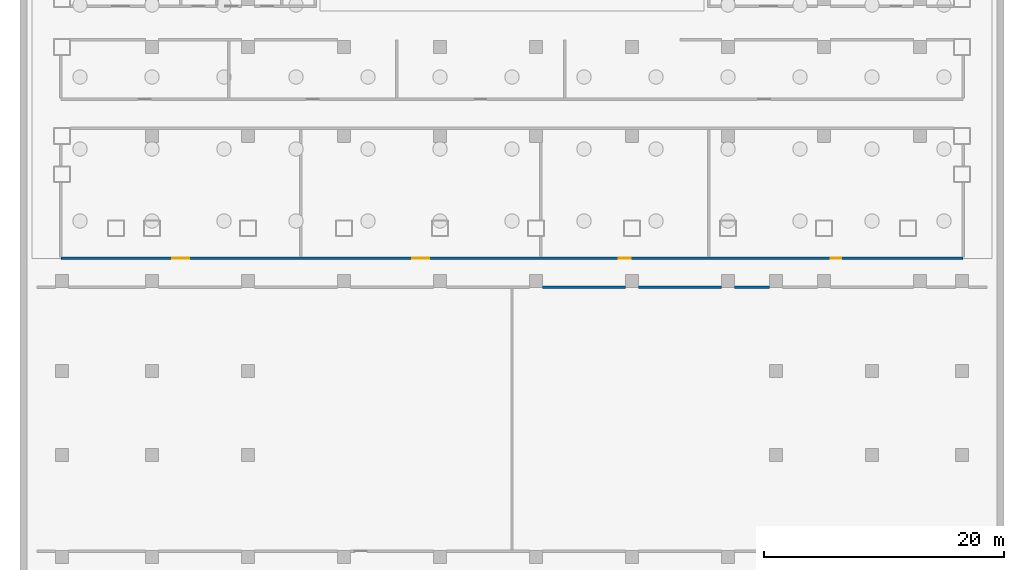
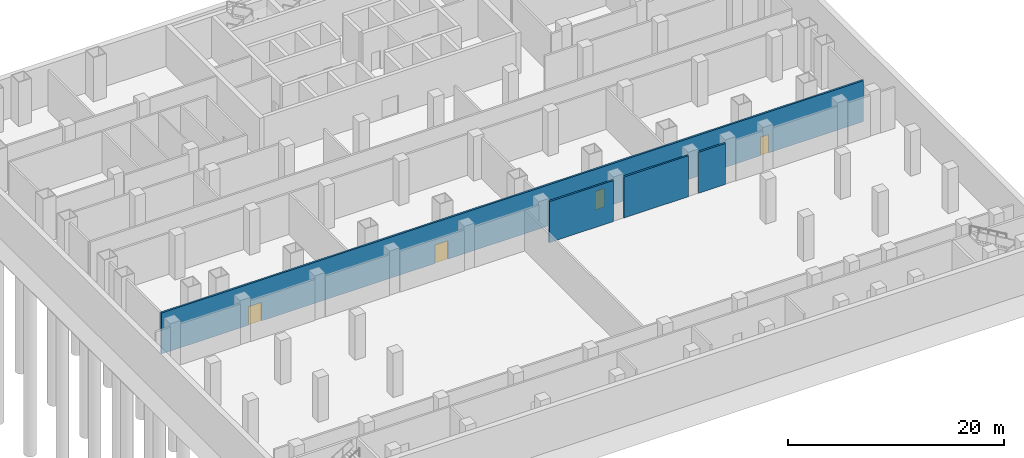
# One storey, part 5 of 14: 4 doors, 4 walls, 4 openings.
"""IFC4 building model written with IfcOpenShell, lengths in metres."""

import ifcopenshell
import ifcopenshell.guid

model = None  # the IFC model being written
_history = None  # IfcOwnerHistory: only IFC2X3 demands one
_inside = {}  # id of a spatial element -> (the spatial element, [elements in it])
_under = {}  # id of a project, library or spatial element -> (it, [spatial elements below it])
_declared = {}  # id of a project -> (the project, [libraries it declares])
_typed = {}  # id of a type object -> (the type object, [elements of that type])
_made_of = {}  # id of a material, layer set ... -> (it, [elements and type objects made of it])


def new_model(schema):
    """Start an empty IFC model of exactly this schema.

    Asked for "IFC4X3", IfcOpenShell would pick the latest addendum, in which some entities
    have other attributes; the version numbers below select the first issue.
    IFC2X3 requires an IfcOwnerHistory on every rooted entity: one is made here for all.
    """
    global model, _history
    if schema == "IFC4X3":
        model = ifcopenshell.file(schema_version=(4, 3, 0, 0))
    else:
        model = ifcopenshell.file(schema=schema)
    _inside.clear()
    _under.clear()
    _declared.clear()
    _typed.clear()
    _made_of.clear()
    _history = None
    if model.schema == "IFC2X3":
        org = make("IfcOrganization", Name="unknown")
        user = make(
            "IfcPersonAndOrganization",
            ThePerson=make("IfcPerson", FamilyName="unknown"),
            TheOrganization=org,
        )
        app = make(
            "IfcApplication",
            ApplicationDeveloper=org,
            Version="unknown",
            ApplicationFullName="unknown",
            ApplicationIdentifier="unknown",
        )
        _history = make(
            "IfcOwnerHistory",
            OwningUser=user,
            OwningApplication=app,
            ChangeAction="ADDED",
            CreationDate=0,
        )
    return model


def make(cls, **values):
    """One entity of the class cls with the attributes given. An attribute that is None is left unset."""
    return model.create_entity(
        cls, **{name: value for name, value in values.items() if value is not None}
    )


def rooted(cls, **values):
    """An entity with a GlobalId (a new one), such as an element, a storey or a relation."""
    return make(cls, GlobalId=ifcopenshell.guid.new(), OwnerHistory=_history, **values)


def si_unit(unit_type, name, prefix=None):
    """IfcSIUnit, for example si_unit("LENGTHUNIT", "METRE", prefix="MILLI")."""
    return make("IfcSIUnit", UnitType=unit_type, Prefix=prefix, Name=name)


def assignment(units):
    """IfcUnitAssignment: the units of a project."""
    return None if units is None else make("IfcUnitAssignment", Units=units)


def point(xyz):
    """IfcCartesianPoint."""
    return None if xyz is None else make("IfcCartesianPoint", Coordinates=xyz)


def direction(xyz):
    """IfcDirection."""
    return None if xyz is None else make("IfcDirection", DirectionRatios=xyz)


def frame(location, z_axis=None, x_axis=None):
    """IfcAxis2Placement3D, a coordinate frame: its origin and axes. An axis left out is left unset."""
    return make(
        "IfcAxis2Placement3D",
        Location=point(location),
        Axis=direction(z_axis),
        RefDirection=direction(x_axis),
    )


def frame_2d(location, x_axis=None):
    """IfcAxis2Placement2D, a coordinate frame in the plane: its origin and x axis."""
    return make(
        "IfcAxis2Placement2D", Location=point(location), RefDirection=direction(x_axis)
    )


def origin():
    """The frame at (0, 0, 0) with its axes left unset."""
    return frame((0.0, 0.0, 0.0))


def place(relative_to, where):
    """IfcLocalPlacement: puts the frame where relative to a parent placement (None: the world)."""
    return make(
        "IfcLocalPlacement", PlacementRelTo=relative_to, RelativePlacement=where
    )


def context(
    kind, dimensions, precision=None, world=None, true_north=None, identifier=None
):
    """IfcGeometricRepresentationContext, for example the 3D "Model" context."""
    return make(
        "IfcGeometricRepresentationContext",
        ContextIdentifier=identifier,
        ContextType=kind,
        CoordinateSpaceDimension=dimensions,
        Precision=precision,
        WorldCoordinateSystem=world,
        TrueNorth=true_north,
    )


def subcontext(parent, identifier, kind, view, scale=None):
    """IfcGeometricRepresentationSubContext, for example "Body" below "Model"."""
    return make(
        "IfcGeometricRepresentationSubContext",
        ContextIdentifier=identifier,
        ContextType=kind,
        ParentContext=parent,
        TargetScale=scale,
        TargetView=view,
    )


def project(units=None, contexts=None):
    """IfcProject with its units and contexts."""
    return rooted(
        "IfcProject",
        Name="project",
        RepresentationContexts=contexts,
        UnitsInContext=assignment(units),
    )


def spatial(cls, under=None, at=None, **own):
    """A site, building, storey or space (cls), placed at a placement, below another one or the project."""
    s = rooted(cls, ObjectPlacement=at, **own)
    if under is not None:
        _under.setdefault(under.id(), (under, []))[1].append(s)
    return s


def profile(cls, at=None, kind="AREA", **sizes):
    """A parametric profile (cls). Its sizes go by their IFC names, for example OverallWidth=200.0."""
    return make(cls, ProfileType=kind, Position=at, **sizes)


def rectangle(**sizes):
    """IfcRectangleProfileDef."""
    return profile("IfcRectangleProfileDef", **sizes)


def extrude(swept, where, along, depth):
    """IfcExtrudedAreaSolid: the profile swept, set in the frame where, extruded along a direction by depth."""
    return make(
        "IfcExtrudedAreaSolid",
        SweptArea=swept,
        Position=where,
        ExtrudedDirection=direction(along),
        Depth=depth,
    )


def shape(context_of_items, identifier, shape_type, items):
    """IfcShapeRepresentation: the items that make up one representation, for example the "Body"."""
    return make(
        "IfcShapeRepresentation",
        ContextOfItems=context_of_items,
        RepresentationIdentifier=identifier,
        RepresentationType=shape_type,
        Items=items,
    )


def material(Name=None, Category=None):
    """IfcMaterial."""
    return make("IfcMaterial", Name=Name, Category=Category)


def layer(
    of_material, thickness, ventilated=None, Name=None, Category=None, Priority=None
):
    """IfcMaterialLayer: one layer of a wall or slab, of a material (None: an air gap)."""
    return make(
        "IfcMaterialLayer",
        Material=of_material,
        LayerThickness=thickness,
        IsVentilated=ventilated,
        Name=Name,
        Category=Category,
        Priority=Priority,
    )


def layer_set(layers, Name=None):
    """IfcMaterialLayerSet."""
    return make("IfcMaterialLayerSet", MaterialLayers=layers, LayerSetName=Name)


def made_of(thing, what):
    """Note that an element or type object is made of a material, layer set ...; save() writes the relation."""
    if what is not None:
        _made_of.setdefault(what.id(), (what, []))[1].append(thing)
    return thing


def type_object(cls, material=None, **own):
    """A type object (cls), such as IfcWallType, which elements share."""
    return made_of(rooted(cls, **own), material)


def element(
    cls,
    number,
    at=None,
    inside=None,
    cuts=None,
    type_object=None,
    material=None,
    context=None,
    identifier="Body",
    shape_type=None,
    held_by="IfcProductDefinitionShape",
    body=None,
    shapes=None,
    **own,
):
    """One element of the class cls, such as IfcWall. Its Tag is "e" and its number.

    at: its placement. inside: the storey or other place that contains it. cuts: it is an
    opening in that element (IfcRelVoidsElement). A single representation is given by context,
    identifier, shape_type and body (its items); several are given by shapes. held_by: the class
    of the entity that holds the representations. save() writes the other relations.
    """
    e = rooted(cls, Tag="e%d" % number, ObjectPlacement=at, **own)
    if body is not None:
        shapes = [shape(context, identifier, shape_type, body)]
    if shapes is not None:
        e.Representation = make(held_by, Representations=shapes)
    if inside is not None:
        _inside.setdefault(inside.id(), (inside, []))[1].append(e)
    if cuts is not None:
        rooted(
            "IfcRelVoidsElement", RelatingBuildingElement=cuts, RelatedOpeningElement=e
        )
    if type_object is not None:
        _typed.setdefault(type_object.id(), (type_object, []))[1].append(e)
    return made_of(e, material)


def fill(opening, filler):
    """IfcRelFillsElement: the door or window that sits in an opening."""
    return rooted(
        "IfcRelFillsElement",
        RelatingOpeningElement=opening,
        RelatedBuildingElement=filler,
    )


def aggregate(whole, parts):
    """IfcRelAggregates: a whole, such as a stair, and the parts it consists of."""
    return rooted("IfcRelAggregates", RelatingObject=whole, RelatedObjects=parts)


def save(model, path):
    """Write the relations noted so far, then the file.

    IfcRelAggregates (storeys below a building ...), IfcRelContainedInSpatialStructure (elements
    in a storey), IfcRelDefinesByType, IfcRelAssociatesMaterial and IfcRelDeclares: one each for
    every whole, place, type object, material and project.
    """
    for whole, parts in _under.values():
        aggregate(whole, parts)
    for where, things in _inside.values():
        rooted(
            "IfcRelContainedInSpatialStructure",
            RelatedElements=things,
            RelatingStructure=where,
        )
    for kind, things in _typed.values():
        rooted("IfcRelDefinesByType", RelatedObjects=things, RelatingType=kind)
    for what, things in _made_of.values():
        rooted("IfcRelAssociatesMaterial", RelatedObjects=things, RelatingMaterial=what)
    for by, libraries in _declared.values():
        rooted("IfcRelDeclares", RelatingContext=by, RelatedDefinitions=libraries)
    model.write(path)


model = new_model("IFC4")

# Units and contexts
model_context = context("Model", 3, precision=1e-05, world=origin(), true_north=direction((0.0, 1.0)))
body_context = subcontext(model_context, "Body", "Model", "MODEL_VIEW")
ifc_project = project(units=[si_unit("LENGTHUNIT", "METRE"), si_unit("AREAUNIT", "SQUARE_METRE"), si_unit("VOLUMEUNIT", "CUBIC_METRE"), si_unit("PLANEANGLEUNIT", "RADIAN"), si_unit("MASSUNIT", "GRAM", prefix="KILO")], contexts=[model_context])

# Site, building, storey
site_placement = place(None, origin())
site = spatial("IfcSite", under=ifc_project, at=site_placement, CompositionType="ELEMENT")
building_placement = place(site_placement, origin())
building = spatial("IfcBuilding", under=site, at=building_placement, Name="Vidyagriha Tower", CompositionType="ELEMENT")
storey_placement = place(building_placement, frame((0.0, 0.0, -10.0)))
storey = spatial("IfcBuildingStorey", under=building, at=storey_placement, Name="B2", CompositionType="ELEMENT", Elevation=-10.0)

# Walls
ifc_material_1 = material(Name="Fire rated gypsum board on light gauge framing")
ifc_layer = layer(ifc_material_1, 0.199951171875)
ifc_layer_set = layer_set([ifc_layer], Name="Fire rated gypsum board on light gauge framing")
wall_type = type_object("IfcWallType", Name="Fire Rated Corridor Wall 200", PredefinedType="PARTITIONING", material=ifc_layer_set)
for number, where, name in (
    (1, (2.550048828125, -22.0, 0.0), "B2 Fire Rated Corridor Wall 200 022"),
    (2, (10.550048828125, -22.0, 0.0), "B2 Fire Rated Corridor Wall 200 023"),
):
    element("IfcWall", number, at=place(storey_placement, frame(where)), inside=storey, type_object=wall_type, Name=name, PredefinedType="PARTITIONING", context=body_context, shape_type="SweptSolid", body=[
        extrude(rectangle(XDim=6.89990234375, YDim=0.199951171875, at=frame_2d((3.449951171875, 0.0))), origin(), (0.0, 0.0, 1.0), 4.64990234375),
    ])
wall_1_placement = place(storey_placement, frame((18.550048828125, -22.0, 0.0)))
element("IfcWall", 3, at=wall_1_placement, inside=storey, type_object=wall_type, Name="B2 Fire Rated Corridor Wall 200 024", PredefinedType="PARTITIONING", context=body_context, shape_type="SweptSolid", body=[
    extrude(rectangle(XDim=2.89990234375, YDim=0.199951171875, at=frame_2d((1.449951171875, 0.0))), origin(), (0.0, 0.0, 1.0), 4.64990234375),
])

# Wall, openings, doors
wall_2_placement = place(storey_placement, frame((-37.599853515625, -19.60009765625, 0.0)))
wall_2 = element("IfcWall", 4, at=wall_2_placement, inside=storey, type_object=wall_type, Name="B2 Fire Rated Corridor Wall 200 029", PredefinedType="PARTITIONING", context=body_context, shape_type="SweptSolid", body=[
    extrude(rectangle(XDim=75.19970703125, YDim=0.199951171875, at=frame_2d((37.599853515625, 0.0))), origin(), (0.0, 0.0, 1.0), 4.64990234375),
])
opening_1_placement = place(wall_2_placement, frame((9.2998046875, 0.0, 0.0)))
opening_1 = element("IfcOpeningElement", 5, at=opening_1_placement, cuts=wall_2, Name="Opening DB2-19", PredefinedType="OPENING", context=body_context, shape_type="SweptSolid", body=[
    extrude(rectangle(XDim=1.39990234375, YDim=2.10009765625, at=frame_2d((0.699951171875, 1.050048828125))), frame((0.0, 0.10986328125, 0.0), z_axis=(0.0, -1.0, 0.0), x_axis=(1.0, 0.0, 0.0)), (0.0, 0.0, 1.0), 0.219970703125),
])
opening_2_placement = place(wall_2_placement, frame((29.2998046875, 0.0, 0.0)))
opening_2 = element("IfcOpeningElement", 6, at=opening_2_placement, cuts=wall_2, Name="Opening DB2-20", PredefinedType="OPENING", context=body_context, shape_type="SweptSolid", body=[
    extrude(rectangle(XDim=1.39990234375, YDim=2.10009765625, at=frame_2d((0.699951171875, 1.050048828125))), frame((0.0, 0.10986328125, 0.0), z_axis=(0.0, -1.0, 0.0), x_axis=(1.0, 0.0, 0.0)), (0.0, 0.0, 1.0), 0.219970703125),
])
opening_3_placement = place(wall_2_placement, frame((46.5, 0.0, 0.0)))
opening_3 = element("IfcOpeningElement", 7, at=opening_3_placement, cuts=wall_2, Name="Opening DB2-21", PredefinedType="OPENING", context=body_context, shape_type="SweptSolid", body=[
    extrude(rectangle(XDim=1.0, YDim=2.10009765625, at=frame_2d((0.5, 1.050048828125))), frame((0.0, 0.10986328125, 0.0), z_axis=(0.0, -1.0, 0.0), x_axis=(1.0, 0.0, 0.0)), (0.0, 0.0, 1.0), 0.219970703125),
])
opening_4_placement = place(wall_2_placement, frame((64.14990234375, 0.0, 0.0)))
opening_4 = element("IfcOpeningElement", 8, at=opening_4_placement, cuts=wall_2, Name="Opening DB2-22", PredefinedType="OPENING", context=body_context, shape_type="SweptSolid", body=[
    extrude(rectangle(XDim=0.89990234375, YDim=2.10009765625, at=frame_2d((0.449951171875, 1.050048828125))), frame((0.0, 0.10986328125, 0.0), z_axis=(0.0, -1.0, 0.0), x_axis=(1.0, 0.0, 0.0)), (0.0, 0.0, 1.0), 0.219970703125),
])
ifc_material_2 = material(Name="Steel fire door set", Category="steel")
door_type_1 = type_object("IfcDoorType", Name="Podium Door 1000x2100 EI 60", OperationType="NOTDEFINED", PredefinedType="DOOR", material=ifc_material_2)
door_1_placement = place(opening_3_placement, origin())
door_1 = element("IfcDoor", 9, at=door_1_placement, inside=storey, type_object=door_type_1, Name="B2 door DB2-21", OperationType="SINGLE_SWING_RIGHT", OverallHeight=2.10009765625, OverallWidth=1.0, PredefinedType="DOOR", context=body_context, shape_type="SweptSolid", body=[
    extrude(rectangle(XDim=1.0, YDim=2.10009765625, at=frame_2d((0.5, 1.050048828125))), frame((0.0, 0.02490234375, 0.0), z_axis=(0.0, -1.0, 0.0), x_axis=(1.0, 0.0, 0.0)), (0.0, 0.0, 1.0), 0.050048828125),
])
fill(opening_3, door_1)
ifc_material_3 = material(Name="Steel fire door set", Category="steel")
door_type_2 = type_object("IfcDoorType", Name="Podium Door 1400x2100 EI 60 Pair", OperationType="NOTDEFINED", PredefinedType="DOOR", material=ifc_material_3)
door_2_placement = place(opening_1_placement, frame((1.39990234375, 0.0, 0.0), z_axis=(0.0, 0.0, 1.0), x_axis=(-1.0, 0.0, 0.0)))
door_2 = element("IfcDoor", 10, at=door_2_placement, inside=storey, type_object=door_type_2, Name="B2 door DB2-19", OperationType="DOUBLE_DOOR_SINGLE_SWING", OverallHeight=2.10009765625, OverallWidth=1.39990234375, PredefinedType="DOOR", context=body_context, shape_type="SweptSolid", body=[
    extrude(rectangle(XDim=1.39990234375, YDim=2.10009765625, at=frame_2d((0.699951171875, 1.050048828125))), frame((0.0, 0.02490234375, 0.0), z_axis=(0.0, -1.0, 0.0), x_axis=(1.0, 0.0, 0.0)), (0.0, 0.0, 1.0), 0.050048828125),
])
fill(opening_1, door_2)
door_3_placement = place(opening_2_placement, frame((1.39990234375, 0.0, 0.0), z_axis=(0.0, 0.0, 1.0), x_axis=(-1.0, 0.0, 0.0)))
door_3 = element("IfcDoor", 11, at=door_3_placement, inside=storey, type_object=door_type_2, Name="B2 door DB2-20", OperationType="DOUBLE_DOOR_SINGLE_SWING", OverallHeight=2.10009765625, OverallWidth=1.39990234375, PredefinedType="DOOR", context=body_context, shape_type="SweptSolid", body=[
    extrude(rectangle(XDim=1.39990234375, YDim=2.10009765625, at=frame_2d((0.699951171875, 1.050048828125))), frame((0.0, 0.02490234375, 0.0), z_axis=(0.0, -1.0, 0.0), x_axis=(1.0, 0.0, 0.0)), (0.0, 0.0, 1.0), 0.050048828125),
])
fill(opening_2, door_3)
ifc_material_4 = material(Name="Steel fire door set", Category="steel")
door_type_3 = type_object("IfcDoorType", Name="Podium Door 900x2100 EI 30", OperationType="NOTDEFINED", PredefinedType="DOOR", material=ifc_material_4)
door_4_placement = place(opening_4_placement, origin())
door_4 = element("IfcDoor", 12, at=door_4_placement, inside=storey, type_object=door_type_3, Name="B2 door DB2-22", OperationType="SINGLE_SWING_RIGHT", OverallHeight=2.10009765625, OverallWidth=0.89990234375, PredefinedType="DOOR", context=body_context, shape_type="SweptSolid", body=[
    extrude(rectangle(XDim=0.89990234375, YDim=2.10009765625, at=frame_2d((0.449951171875, 1.050048828125))), frame((0.0, 0.02490234375, 0.0), z_axis=(0.0, -1.0, 0.0), x_axis=(1.0, 0.0, 0.0)), (0.0, 0.0, 1.0), 0.050048828125),
])
fill(opening_4, door_4)

save(model, "model.ifc")
